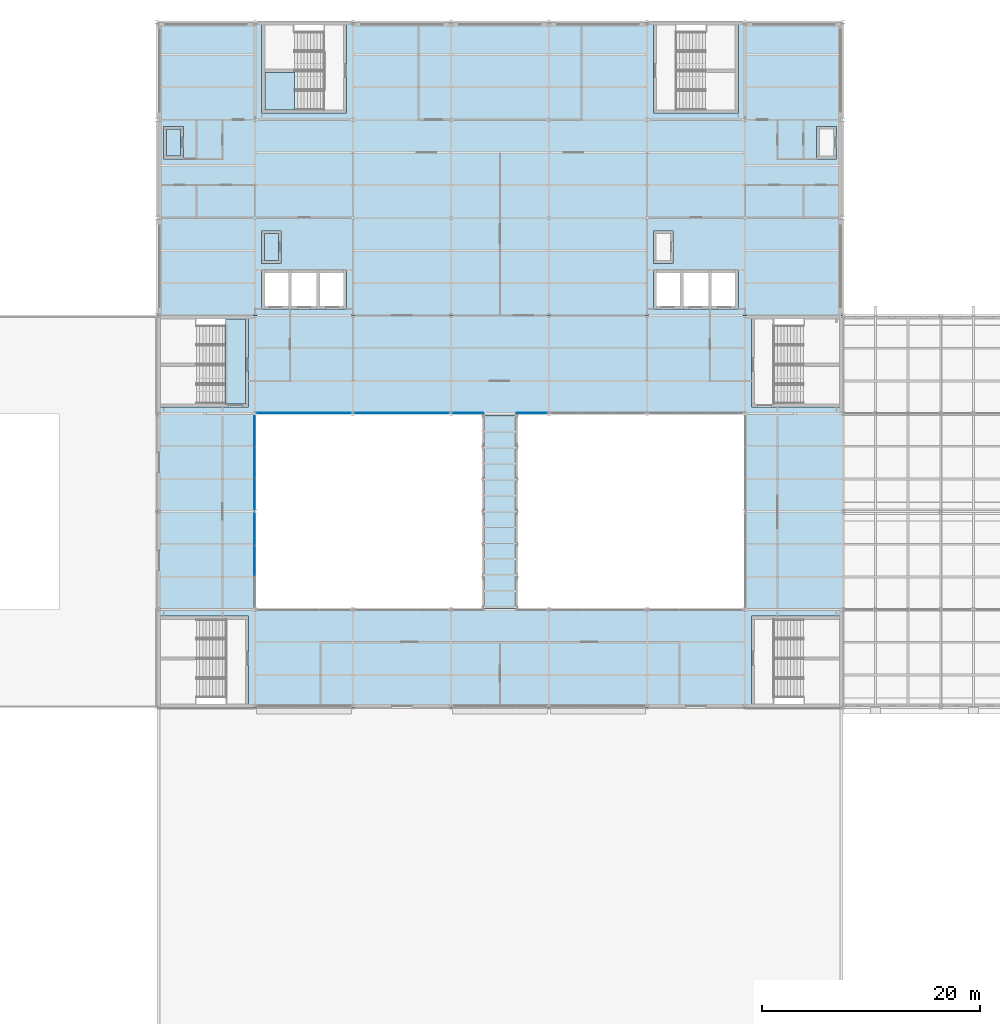
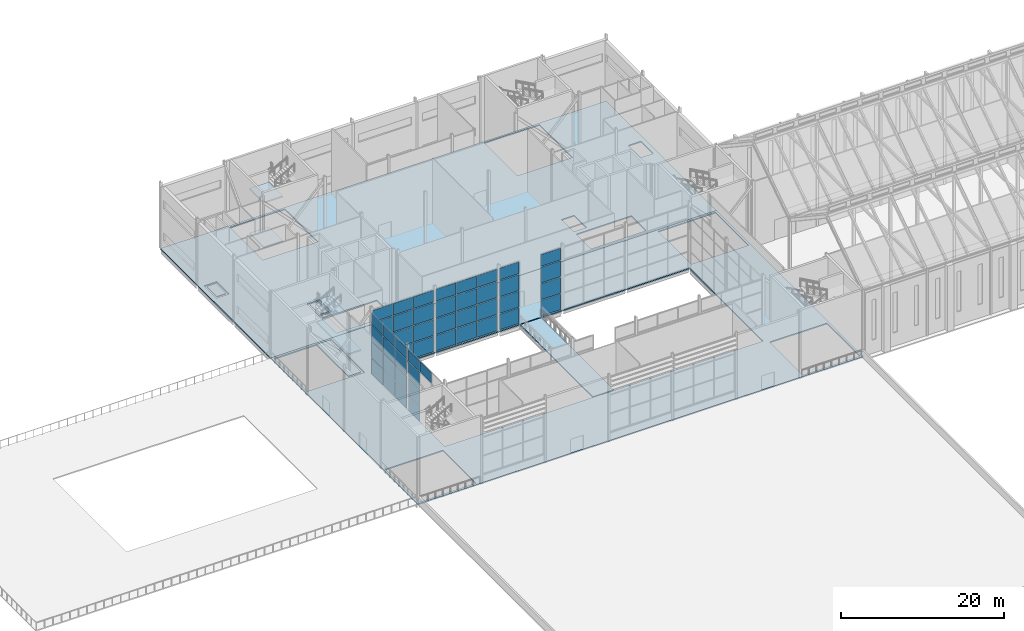
# One storey, part 82 of 111: 49 plates, 10 slabs, 8 elements without a shape of their own.
"""IFC4 building model written with IfcOpenShell, lengths in metres."""

from ifc_helpers import new_model, si_unit, direction, frame, origin, origin_2d, place, context, subcontext, project, spatial, polyline, rectangle, outline, extrude, material, layer, layer_set, type_object, element, aggregate, save


model = new_model("IFC4")

# Units and contexts
model_context = context("Model", 3, precision=1e-05, world=origin(), true_north=direction((0.0, 1.0)))
body_context = subcontext(model_context, "Body", "Model", "MODEL_VIEW")
ifc_project = project(units=[si_unit("LENGTHUNIT", "METRE"), si_unit("AREAUNIT", "SQUARE_METRE"), si_unit("VOLUMEUNIT", "CUBIC_METRE"), si_unit("PLANEANGLEUNIT", "RADIAN"), si_unit("MASSUNIT", "GRAM", prefix="KILO")], contexts=[model_context])

# Site, building, storey
site_placement = place(None, origin())
site = spatial("IfcSite", under=ifc_project, at=site_placement, CompositionType="ELEMENT")
building_placement = place(site_placement, origin())
building = spatial("IfcBuilding", under=site, at=building_placement, Name="Shorebreak Coast Museum", CompositionType="ELEMENT")
storey_placement = place(building_placement, frame((0.0, 0.0, 16.0)))
storey = spatial("IfcBuildingStorey", under=building, at=storey_placement, Name="L03", CompositionType="ELEMENT", Elevation=16.0)

# Slab
ifc_material_1 = material(Name="Concrete N40 (40 MPa)", Category="concrete")
ifc_layer_1 = layer(ifc_material_1, 0.175048828125)
ifc_layer_set_1 = layer_set([ifc_layer_1], Name="Concrete N40 (40 MPa)")
slab_type_1 = type_object("IfcSlabType", Name="Bridge deck 175 concrete N40", PredefinedType="USERDEFINED", material=ifc_layer_set_1)
slab_1_placement = place(storey_placement, frame((0.0, 0.0, -0.175048828125)))
element("IfcSlab", 1, at=slab_1_placement, inside=storey, type_object=slab_type_1, Name="Atrium bridge deck BR2", ObjectType="BRIDGE DECK", PredefinedType="USERDEFINED", context=body_context, shape_type="SweptSolid", body=[
    extrude(outline(polyline([(87.0, 63.114501953125), (87.0, 80.885498046875), (84.0, 80.885498046875), (84.0, 63.114501953125), (87.0, 63.114501953125)])), origin(), (0.0, 0.0, 1.0), 0.175048828125),
])

# Curtain wall, plates
ifc_material_2 = material(Name="Aluminium", Category="aluminium")
ifc_layer_2 = layer(ifc_material_2, 0.1201171875)
ifc_layer_set_2 = layer_set([ifc_layer_2], Name="Aluminium")
curtain_wall_type = type_object("IfcCurtainWallType", Name="Atrium fire screen", PredefinedType="NOTDEFINED", material=ifc_layer_set_2)
curtain_wall_1_placement = place(storey_placement, origin())
curtain_wall_1 = element("IfcCurtainWall", 2, at=curtain_wall_1_placement, inside=storey, type_object=curtain_wall_type, Name="Atrium screen L03 N 39", PredefinedType="NOTDEFINED")
ifc_material_3 = material(Name="Glass", Category="glass")
ifc_layer_3 = layer(ifc_material_3, 0.034912109375)
ifc_layer_set_3 = layer_set([ifc_layer_3], Name="Glass")
plate_type = type_object("IfcPlateType", Name="Fire-resisting glass panel 35", PredefinedType="CURTAIN_PANEL", material=ifc_layer_set_3)
plate_1_placement = place(storey_placement, frame((64.615478515625, 81.06005859375, 0.1201171875), z_axis=(0.0, 0.0, 1.0), x_axis=(1.0, 0.0, 0.0)))
plate_1 = element("IfcPlate", 3, at=plate_1_placement, type_object=plate_type, Name="CW4 panel 1.1", PredefinedType="CURTAIN_PANEL", context=body_context, shape_type="SweptSolid", body=[
    extrude(rectangle(XDim=2.822021484375, YDim=0.034912109375, at=origin_2d()), origin(), (0.0, 0.0, 1.0), 2.320068359375),
])
plate_2_placement = place(storey_placement, frame((64.615478515625, 81.06005859375, 2.56005859375), z_axis=(0.0, 0.0, 1.0), x_axis=(1.0, 0.0, 0.0)))
plate_2 = element("IfcPlate", 4, at=plate_2_placement, type_object=plate_type, Name="CW4 panel 1.2", PredefinedType="CURTAIN_PANEL", context=body_context, shape_type="SweptSolid", body=[
    extrude(rectangle(XDim=2.822021484375, YDim=0.034912109375, at=origin_2d()), origin(), (0.0, 0.0, 1.0), 2.3798828125),
])
plate_3_placement = place(storey_placement, frame((64.615478515625, 81.06005859375, 5.06005859375), z_axis=(0.0, 0.0, 1.0), x_axis=(1.0, 0.0, 0.0)))
plate_3 = element("IfcPlate", 5, at=plate_3_placement, type_object=plate_type, Name="CW4 panel 1.3", PredefinedType="CURTAIN_PANEL", context=body_context, shape_type="SweptSolid", body=[
    extrude(rectangle(XDim=2.822021484375, YDim=0.034912109375, at=origin_2d()), origin(), (0.0, 0.0, 1.0), 2.3798828125),
])
plate_4_placement = place(storey_placement, frame((64.615478515625, 81.06005859375, 7.56005859375), z_axis=(0.0, 0.0, 1.0), x_axis=(1.0, 0.0, 0.0)))
plate_4 = element("IfcPlate", 6, at=plate_4_placement, type_object=plate_type, Name="CW4 panel 1.4", PredefinedType="CURTAIN_PANEL", context=body_context, shape_type="SweptSolid", body=[
    extrude(rectangle(XDim=2.822021484375, YDim=0.034912109375, at=origin_2d()), origin(), (0.0, 0.0, 1.0), 1.742431640625),
])
plate_5_placement = place(storey_placement, frame((67.5, 81.06005859375, 0.1201171875), z_axis=(0.0, 0.0, 1.0), x_axis=(1.0, 0.0, 0.0)))
plate_5 = element("IfcPlate", 7, at=plate_5_placement, type_object=plate_type, Name="CW4 panel 2.1", PredefinedType="CURTAIN_PANEL", context=body_context, shape_type="SweptSolid", body=[
    extrude(rectangle(XDim=2.846923828125, YDim=0.034912109375, at=origin_2d()), origin(), (0.0, 0.0, 1.0), 2.320068359375),
])
plate_6_placement = place(storey_placement, frame((67.5, 81.06005859375, 2.56005859375), z_axis=(0.0, 0.0, 1.0), x_axis=(1.0, 0.0, 0.0)))
plate_6 = element("IfcPlate", 8, at=plate_6_placement, type_object=plate_type, Name="CW4 panel 2.2", PredefinedType="CURTAIN_PANEL", context=body_context, shape_type="SweptSolid", body=[
    extrude(rectangle(XDim=2.846923828125, YDim=0.034912109375, at=origin_2d()), origin(), (0.0, 0.0, 1.0), 2.3798828125),
])
plate_7_placement = place(storey_placement, frame((67.5, 81.06005859375, 5.06005859375), z_axis=(0.0, 0.0, 1.0), x_axis=(1.0, 0.0, 0.0)))
plate_7 = element("IfcPlate", 9, at=plate_7_placement, type_object=plate_type, Name="CW4 panel 2.3", PredefinedType="CURTAIN_PANEL", context=body_context, shape_type="SweptSolid", body=[
    extrude(rectangle(XDim=2.846923828125, YDim=0.034912109375, at=origin_2d()), origin(), (0.0, 0.0, 1.0), 2.3798828125),
])
plate_8_placement = place(storey_placement, frame((67.5, 81.06005859375, 7.56005859375), z_axis=(0.0, 0.0, 1.0), x_axis=(1.0, 0.0, 0.0)))
plate_8 = element("IfcPlate", 10, at=plate_8_placement, type_object=plate_type, Name="CW4 panel 2.4", PredefinedType="CURTAIN_PANEL", context=body_context, shape_type="SweptSolid", body=[
    extrude(rectangle(XDim=2.846923828125, YDim=0.034912109375, at=origin_2d()), origin(), (0.0, 0.0, 1.0), 1.742431640625),
])
plate_9_placement = place(storey_placement, frame((70.384521484375, 81.06005859375, 0.1201171875), z_axis=(0.0, 0.0, 1.0), x_axis=(1.0, 0.0, 0.0)))
plate_9 = element("IfcPlate", 11, at=plate_9_placement, type_object=plate_type, Name="CW4 panel 3.1", PredefinedType="CURTAIN_PANEL", context=body_context, shape_type="SweptSolid", body=[
    extrude(rectangle(XDim=2.822021484375, YDim=0.034912109375, at=origin_2d()), origin(), (0.0, 0.0, 1.0), 2.320068359375),
])
plate_10_placement = place(storey_placement, frame((70.384521484375, 81.06005859375, 2.56005859375), z_axis=(0.0, 0.0, 1.0), x_axis=(1.0, 0.0, 0.0)))
plate_10 = element("IfcPlate", 12, at=plate_10_placement, type_object=plate_type, Name="CW4 panel 3.2", PredefinedType="CURTAIN_PANEL", context=body_context, shape_type="SweptSolid", body=[
    extrude(rectangle(XDim=2.822021484375, YDim=0.034912109375, at=origin_2d()), origin(), (0.0, 0.0, 1.0), 2.3798828125),
])
plate_11_placement = place(storey_placement, frame((70.384521484375, 81.06005859375, 5.06005859375), z_axis=(0.0, 0.0, 1.0), x_axis=(1.0, 0.0, 0.0)))
plate_11 = element("IfcPlate", 13, at=plate_11_placement, type_object=plate_type, Name="CW4 panel 3.3", PredefinedType="CURTAIN_PANEL", context=body_context, shape_type="SweptSolid", body=[
    extrude(rectangle(XDim=2.822021484375, YDim=0.034912109375, at=origin_2d()), origin(), (0.0, 0.0, 1.0), 2.3798828125),
])
plate_12_placement = place(storey_placement, frame((70.384521484375, 81.06005859375, 7.56005859375), z_axis=(0.0, 0.0, 1.0), x_axis=(1.0, 0.0, 0.0)))
plate_12 = element("IfcPlate", 14, at=plate_12_placement, type_object=plate_type, Name="CW4 panel 3.4", PredefinedType="CURTAIN_PANEL", context=body_context, shape_type="SweptSolid", body=[
    extrude(rectangle(XDim=2.822021484375, YDim=0.034912109375, at=origin_2d()), origin(), (0.0, 0.0, 1.0), 1.742431640625),
])
aggregate(curtain_wall_1, [plate_1, plate_2, plate_3, plate_4, plate_5, plate_6, plate_7, plate_8, plate_9, plate_10, plate_11, plate_12])

curtain_wall_2_placement = place(storey_placement, origin())
curtain_wall_2 = element("IfcCurtainWall", 15, at=curtain_wall_2_placement, inside=storey, type_object=curtain_wall_type, Name="Atrium screen L03 N 40", PredefinedType="NOTDEFINED")
plate_13_placement = place(storey_placement, frame((73.615478515625, 81.06005859375, 0.1201171875), z_axis=(0.0, 0.0, 1.0), x_axis=(1.0, 0.0, 0.0)))
plate_13 = element("IfcPlate", 16, at=plate_13_placement, type_object=plate_type, Name="CW5 panel 1.1", PredefinedType="CURTAIN_PANEL", context=body_context, shape_type="SweptSolid", body=[
    extrude(rectangle(XDim=2.822021484375, YDim=0.034912109375, at=origin_2d()), origin(), (0.0, 0.0, 1.0), 2.320068359375),
])
plate_14_placement = place(storey_placement, frame((73.615478515625, 81.06005859375, 2.56005859375), z_axis=(0.0, 0.0, 1.0), x_axis=(1.0, 0.0, 0.0)))
plate_14 = element("IfcPlate", 17, at=plate_14_placement, type_object=plate_type, Name="CW5 panel 1.2", PredefinedType="CURTAIN_PANEL", context=body_context, shape_type="SweptSolid", body=[
    extrude(rectangle(XDim=2.822021484375, YDim=0.034912109375, at=origin_2d()), origin(), (0.0, 0.0, 1.0), 2.3798828125),
])
plate_15_placement = place(storey_placement, frame((73.615478515625, 81.06005859375, 5.06005859375), z_axis=(0.0, 0.0, 1.0), x_axis=(1.0, 0.0, 0.0)))
plate_15 = element("IfcPlate", 18, at=plate_15_placement, type_object=plate_type, Name="CW5 panel 1.3", PredefinedType="CURTAIN_PANEL", context=body_context, shape_type="SweptSolid", body=[
    extrude(rectangle(XDim=2.822021484375, YDim=0.034912109375, at=origin_2d()), origin(), (0.0, 0.0, 1.0), 2.3798828125),
])
plate_16_placement = place(storey_placement, frame((73.615478515625, 81.06005859375, 7.56005859375), z_axis=(0.0, 0.0, 1.0), x_axis=(1.0, 0.0, 0.0)))
plate_16 = element("IfcPlate", 19, at=plate_16_placement, type_object=plate_type, Name="CW5 panel 1.4", PredefinedType="CURTAIN_PANEL", context=body_context, shape_type="SweptSolid", body=[
    extrude(rectangle(XDim=2.822021484375, YDim=0.034912109375, at=origin_2d()), origin(), (0.0, 0.0, 1.0), 1.742431640625),
])
plate_17_placement = place(storey_placement, frame((76.5, 81.06005859375, 0.1201171875), z_axis=(0.0, 0.0, 1.0), x_axis=(1.0, 0.0, 0.0)))
plate_17 = element("IfcPlate", 20, at=plate_17_placement, type_object=plate_type, Name="CW5 panel 2.1", PredefinedType="CURTAIN_PANEL", context=body_context, shape_type="SweptSolid", body=[
    extrude(rectangle(XDim=2.846923828125, YDim=0.034912109375, at=origin_2d()), origin(), (0.0, 0.0, 1.0), 2.320068359375),
])
plate_18_placement = place(storey_placement, frame((76.5, 81.06005859375, 2.56005859375), z_axis=(0.0, 0.0, 1.0), x_axis=(1.0, 0.0, 0.0)))
plate_18 = element("IfcPlate", 21, at=plate_18_placement, type_object=plate_type, Name="CW5 panel 2.2", PredefinedType="CURTAIN_PANEL", context=body_context, shape_type="SweptSolid", body=[
    extrude(rectangle(XDim=2.846923828125, YDim=0.034912109375, at=origin_2d()), origin(), (0.0, 0.0, 1.0), 2.3798828125),
])
plate_19_placement = place(storey_placement, frame((76.5, 81.06005859375, 5.06005859375), z_axis=(0.0, 0.0, 1.0), x_axis=(1.0, 0.0, 0.0)))
plate_19 = element("IfcPlate", 22, at=plate_19_placement, type_object=plate_type, Name="CW5 panel 2.3", PredefinedType="CURTAIN_PANEL", context=body_context, shape_type="SweptSolid", body=[
    extrude(rectangle(XDim=2.846923828125, YDim=0.034912109375, at=origin_2d()), origin(), (0.0, 0.0, 1.0), 2.3798828125),
])
plate_20_placement = place(storey_placement, frame((76.5, 81.06005859375, 7.56005859375), z_axis=(0.0, 0.0, 1.0), x_axis=(1.0, 0.0, 0.0)))
plate_20 = element("IfcPlate", 23, at=plate_20_placement, type_object=plate_type, Name="CW5 panel 2.4", PredefinedType="CURTAIN_PANEL", context=body_context, shape_type="SweptSolid", body=[
    extrude(rectangle(XDim=2.846923828125, YDim=0.034912109375, at=origin_2d()), origin(), (0.0, 0.0, 1.0), 1.742431640625),
])
plate_21_placement = place(storey_placement, frame((79.384521484375, 81.06005859375, 0.1201171875), z_axis=(0.0, 0.0, 1.0), x_axis=(1.0, 0.0, 0.0)))
plate_21 = element("IfcPlate", 24, at=plate_21_placement, type_object=plate_type, Name="CW5 panel 3.1", PredefinedType="CURTAIN_PANEL", context=body_context, shape_type="SweptSolid", body=[
    extrude(rectangle(XDim=2.822021484375, YDim=0.034912109375, at=origin_2d()), origin(), (0.0, 0.0, 1.0), 2.320068359375),
])
plate_22_placement = place(storey_placement, frame((79.384521484375, 81.06005859375, 2.56005859375), z_axis=(0.0, 0.0, 1.0), x_axis=(1.0, 0.0, 0.0)))
plate_22 = element("IfcPlate", 25, at=plate_22_placement, type_object=plate_type, Name="CW5 panel 3.2", PredefinedType="CURTAIN_PANEL", context=body_context, shape_type="SweptSolid", body=[
    extrude(rectangle(XDim=2.822021484375, YDim=0.034912109375, at=origin_2d()), origin(), (0.0, 0.0, 1.0), 2.3798828125),
])
plate_23_placement = place(storey_placement, frame((79.384521484375, 81.06005859375, 5.06005859375), z_axis=(0.0, 0.0, 1.0), x_axis=(1.0, 0.0, 0.0)))
plate_23 = element("IfcPlate", 26, at=plate_23_placement, type_object=plate_type, Name="CW5 panel 3.3", PredefinedType="CURTAIN_PANEL", context=body_context, shape_type="SweptSolid", body=[
    extrude(rectangle(XDim=2.822021484375, YDim=0.034912109375, at=origin_2d()), origin(), (0.0, 0.0, 1.0), 2.3798828125),
])
plate_24_placement = place(storey_placement, frame((79.384521484375, 81.06005859375, 7.56005859375), z_axis=(0.0, 0.0, 1.0), x_axis=(1.0, 0.0, 0.0)))
plate_24 = element("IfcPlate", 27, at=plate_24_placement, type_object=plate_type, Name="CW5 panel 3.4", PredefinedType="CURTAIN_PANEL", context=body_context, shape_type="SweptSolid", body=[
    extrude(rectangle(XDim=2.822021484375, YDim=0.034912109375, at=origin_2d()), origin(), (0.0, 0.0, 1.0), 1.742431640625),
])
aggregate(curtain_wall_2, [plate_13, plate_14, plate_15, plate_16, plate_17, plate_18, plate_19, plate_20, plate_21, plate_22, plate_23, plate_24])

curtain_wall_3_placement = place(storey_placement, origin())
curtain_wall_3 = element("IfcCurtainWall", 28, at=curtain_wall_3_placement, inside=storey, type_object=curtain_wall_type, Name="Atrium screen L03 N 41", PredefinedType="NOTDEFINED")
plate_25_placement = place(storey_placement, frame((82.5771484375, 81.06005859375, 0.1201171875), z_axis=(0.0, 0.0, 1.0), x_axis=(1.0, 0.0, 0.0)))
plate_25 = element("IfcPlate", 29, at=plate_25_placement, type_object=plate_type, Name="CW6 panel 1.1", PredefinedType="CURTAIN_PANEL", context=body_context, shape_type="SweptSolid", body=[
    extrude(rectangle(XDim=2.74560546875, YDim=0.034912109375, at=origin_2d()), origin(), (0.0, 0.0, 1.0), 2.320068359375),
])
plate_26_placement = place(storey_placement, frame((82.5771484375, 81.06005859375, 2.56005859375), z_axis=(0.0, 0.0, 1.0), x_axis=(1.0, 0.0, 0.0)))
plate_26 = element("IfcPlate", 30, at=plate_26_placement, type_object=plate_type, Name="CW6 panel 1.2", PredefinedType="CURTAIN_PANEL", context=body_context, shape_type="SweptSolid", body=[
    extrude(rectangle(XDim=2.74560546875, YDim=0.034912109375, at=origin_2d()), origin(), (0.0, 0.0, 1.0), 2.3798828125),
])
plate_27_placement = place(storey_placement, frame((82.5771484375, 81.06005859375, 5.06005859375), z_axis=(0.0, 0.0, 1.0), x_axis=(1.0, 0.0, 0.0)))
plate_27 = element("IfcPlate", 31, at=plate_27_placement, type_object=plate_type, Name="CW6 panel 1.3", PredefinedType="CURTAIN_PANEL", context=body_context, shape_type="SweptSolid", body=[
    extrude(rectangle(XDim=2.74560546875, YDim=0.034912109375, at=origin_2d()), origin(), (0.0, 0.0, 1.0), 2.3798828125),
])
plate_28_placement = place(storey_placement, frame((82.5771484375, 81.06005859375, 7.56005859375), z_axis=(0.0, 0.0, 1.0), x_axis=(1.0, 0.0, 0.0)))
plate_28 = element("IfcPlate", 32, at=plate_28_placement, type_object=plate_type, Name="CW6 panel 1.4", PredefinedType="CURTAIN_PANEL", context=body_context, shape_type="SweptSolid", body=[
    extrude(rectangle(XDim=2.74560546875, YDim=0.034912109375, at=origin_2d()), origin(), (0.0, 0.0, 1.0), 1.742431640625),
])
aggregate(curtain_wall_3, [plate_25, plate_26, plate_27, plate_28])

curtain_wall_4_placement = place(storey_placement, origin())
curtain_wall_4 = element("IfcCurtainWall", 33, at=curtain_wall_4_placement, inside=storey, type_object=curtain_wall_type, Name="Atrium screen L03 N 42", PredefinedType="NOTDEFINED")
plate_29_placement = place(storey_placement, frame((88.4228515625, 81.06005859375, 0.1201171875), z_axis=(0.0, 0.0, 1.0), x_axis=(1.0, 0.0, 0.0)))
plate_29 = element("IfcPlate", 34, at=plate_29_placement, type_object=plate_type, Name="CW4 panel 1.1", PredefinedType="CURTAIN_PANEL", context=body_context, shape_type="SweptSolid", body=[
    extrude(rectangle(XDim=2.74560546875, YDim=0.034912109375, at=origin_2d()), origin(), (0.0, 0.0, 1.0), 2.320068359375),
])
plate_30_placement = place(storey_placement, frame((88.4228515625, 81.06005859375, 2.56005859375), z_axis=(0.0, 0.0, 1.0), x_axis=(1.0, 0.0, 0.0)))
plate_30 = element("IfcPlate", 35, at=plate_30_placement, type_object=plate_type, Name="CW4 panel 1.2", PredefinedType="CURTAIN_PANEL", context=body_context, shape_type="SweptSolid", body=[
    extrude(rectangle(XDim=2.74560546875, YDim=0.034912109375, at=origin_2d()), origin(), (0.0, 0.0, 1.0), 2.3798828125),
])
plate_31_placement = place(storey_placement, frame((88.4228515625, 81.06005859375, 5.06005859375), z_axis=(0.0, 0.0, 1.0), x_axis=(1.0, 0.0, 0.0)))
plate_31 = element("IfcPlate", 36, at=plate_31_placement, type_object=plate_type, Name="CW4 panel 1.3", PredefinedType="CURTAIN_PANEL", context=body_context, shape_type="SweptSolid", body=[
    extrude(rectangle(XDim=2.74560546875, YDim=0.034912109375, at=origin_2d()), origin(), (0.0, 0.0, 1.0), 2.3798828125),
])
plate_32_placement = place(storey_placement, frame((88.4228515625, 81.06005859375, 7.56005859375), z_axis=(0.0, 0.0, 1.0), x_axis=(1.0, 0.0, 0.0)))
plate_32 = element("IfcPlate", 37, at=plate_32_placement, type_object=plate_type, Name="CW4 panel 1.4", PredefinedType="CURTAIN_PANEL", context=body_context, shape_type="SweptSolid", body=[
    extrude(rectangle(XDim=2.74560546875, YDim=0.034912109375, at=origin_2d()), origin(), (0.0, 0.0, 1.0), 1.742431640625),
])
aggregate(curtain_wall_4, [plate_29, plate_30, plate_31, plate_32])

curtain_wall_5_placement = place(storey_placement, origin())
curtain_wall_5 = element("IfcCurtainWall", 38, at=curtain_wall_5_placement, inside=storey, type_object=curtain_wall_type, Name="Atrium screen L03 W 45", PredefinedType="NOTDEFINED")
plate_33_placement = place(storey_placement, frame((62.93994140625, 67.509033203125, 7.56005859375), z_axis=(0.0, 0.0, 1.0), x_axis=(0.0, 1.0, 0.0)))
plate_33 = element("IfcPlate", 39, at=plate_33_placement, type_object=plate_type, Name="CW4 panel 2.4", PredefinedType="CURTAIN_PANEL", context=body_context, shape_type="SweptSolid", body=[
    extrude(rectangle(XDim=2.837158203125, YDim=0.034912109375, at=origin_2d()), origin(), (0.0, 0.0, 1.0), 1.61669921875),
])
plate_34_placement = place(storey_placement, frame((62.93994140625, 70.383544921875, 0.1201171875), z_axis=(0.0, 0.0, 1.0), x_axis=(0.0, 1.0, 0.0)))
plate_34 = element("IfcPlate", 40, at=plate_34_placement, type_object=plate_type, Name="CW4 panel 3.1", PredefinedType="CURTAIN_PANEL", context=body_context, shape_type="SweptSolid", body=[
    extrude(rectangle(XDim=2.81201171875, YDim=0.034912109375, at=origin_2d()), origin(), (0.0, 0.0, 1.0), 2.320068359375),
])
plate_35_placement = place(storey_placement, frame((62.93994140625, 70.383544921875, 2.56005859375), z_axis=(0.0, 0.0, 1.0), x_axis=(0.0, 1.0, 0.0)))
plate_35 = element("IfcPlate", 41, at=plate_35_placement, type_object=plate_type, Name="CW4 panel 3.2", PredefinedType="CURTAIN_PANEL", context=body_context, shape_type="SweptSolid", body=[
    extrude(rectangle(XDim=2.81201171875, YDim=0.034912109375, at=origin_2d()), origin(), (0.0, 0.0, 1.0), 2.3798828125),
])
plate_36_placement = place(storey_placement, frame((62.93994140625, 70.383544921875, 5.06005859375), z_axis=(0.0, 0.0, 1.0), x_axis=(0.0, 1.0, 0.0)))
plate_36 = element("IfcPlate", 42, at=plate_36_placement, type_object=plate_type, Name="CW4 panel 3.3", PredefinedType="CURTAIN_PANEL", context=body_context, shape_type="SweptSolid", body=[
    extrude(rectangle(XDim=2.81201171875, YDim=0.034912109375, at=origin_2d()), origin(), (0.0, 0.0, 1.0), 2.3798828125),
])
plate_37_placement = place(storey_placement, frame((62.93994140625, 70.383544921875, 7.56005859375), z_axis=(0.0, 0.0, 1.0), x_axis=(0.0, 1.0, 0.0)))
plate_37 = element("IfcPlate", 43, at=plate_37_placement, type_object=plate_type, Name="CW4 panel 3.4", PredefinedType="CURTAIN_PANEL", context=body_context, shape_type="SweptSolid", body=[
    extrude(rectangle(XDim=2.81201171875, YDim=0.034912109375, at=origin_2d()), origin(), (0.0, 0.0, 1.0), 1.61669921875),
])
aggregate(curtain_wall_5, [plate_33, plate_34, plate_35, plate_36, plate_37])

curtain_wall_6_placement = place(storey_placement, origin())
curtain_wall_6 = element("IfcCurtainWall", 44, at=curtain_wall_6_placement, inside=storey, type_object=curtain_wall_type, Name="Atrium screen L03 W 46", PredefinedType="NOTDEFINED")
plate_38_placement = place(storey_placement, frame((62.93994140625, 73.616455078125, 0.1201171875), z_axis=(0.0, 0.0, 1.0), x_axis=(0.0, 1.0, 0.0)))
plate_38 = element("IfcPlate", 45, at=plate_38_placement, type_object=plate_type, Name="CW5 panel 1.1", PredefinedType="CURTAIN_PANEL", context=body_context, shape_type="SweptSolid", body=[
    extrude(rectangle(XDim=2.81201171875, YDim=0.034912109375, at=origin_2d()), origin(), (0.0, 0.0, 1.0), 2.320068359375),
])
plate_39_placement = place(storey_placement, frame((62.93994140625, 73.616455078125, 2.56005859375), z_axis=(0.0, 0.0, 1.0), x_axis=(0.0, 1.0, 0.0)))
plate_39 = element("IfcPlate", 46, at=plate_39_placement, type_object=plate_type, Name="CW5 panel 1.2", PredefinedType="CURTAIN_PANEL", context=body_context, shape_type="SweptSolid", body=[
    extrude(rectangle(XDim=2.81201171875, YDim=0.034912109375, at=origin_2d()), origin(), (0.0, 0.0, 1.0), 2.3798828125),
])
plate_40_placement = place(storey_placement, frame((62.93994140625, 73.616455078125, 5.06005859375), z_axis=(0.0, 0.0, 1.0), x_axis=(0.0, 1.0, 0.0)))
plate_40 = element("IfcPlate", 47, at=plate_40_placement, type_object=plate_type, Name="CW5 panel 1.3", PredefinedType="CURTAIN_PANEL", context=body_context, shape_type="SweptSolid", body=[
    extrude(rectangle(XDim=2.81201171875, YDim=0.034912109375, at=origin_2d()), origin(), (0.0, 0.0, 1.0), 2.3798828125),
])
plate_41_placement = place(storey_placement, frame((62.93994140625, 73.616455078125, 7.56005859375), z_axis=(0.0, 0.0, 1.0), x_axis=(0.0, 1.0, 0.0)))
plate_41 = element("IfcPlate", 48, at=plate_41_placement, type_object=plate_type, Name="CW5 panel 1.4", PredefinedType="CURTAIN_PANEL", context=body_context, shape_type="SweptSolid", body=[
    extrude(rectangle(XDim=2.81201171875, YDim=0.034912109375, at=origin_2d()), origin(), (0.0, 0.0, 1.0), 1.61669921875),
])
plate_42_placement = place(storey_placement, frame((62.93994140625, 76.490966796875, 0.1201171875), z_axis=(0.0, 0.0, 1.0), x_axis=(0.0, 1.0, 0.0)))
plate_42 = element("IfcPlate", 49, at=plate_42_placement, type_object=plate_type, Name="CW5 panel 2.1", PredefinedType="CURTAIN_PANEL", context=body_context, shape_type="SweptSolid", body=[
    extrude(rectangle(XDim=2.837158203125, YDim=0.034912109375, at=origin_2d()), origin(), (0.0, 0.0, 1.0), 2.320068359375),
])
plate_43_placement = place(storey_placement, frame((62.93994140625, 76.490966796875, 2.56005859375), z_axis=(0.0, 0.0, 1.0), x_axis=(0.0, 1.0, 0.0)))
plate_43 = element("IfcPlate", 50, at=plate_43_placement, type_object=plate_type, Name="CW5 panel 2.2", PredefinedType="CURTAIN_PANEL", context=body_context, shape_type="SweptSolid", body=[
    extrude(rectangle(XDim=2.837158203125, YDim=0.034912109375, at=origin_2d()), origin(), (0.0, 0.0, 1.0), 2.3798828125),
])
plate_44_placement = place(storey_placement, frame((62.93994140625, 76.490966796875, 5.06005859375), z_axis=(0.0, 0.0, 1.0), x_axis=(0.0, 1.0, 0.0)))
plate_44 = element("IfcPlate", 51, at=plate_44_placement, type_object=plate_type, Name="CW5 panel 2.3", PredefinedType="CURTAIN_PANEL", context=body_context, shape_type="SweptSolid", body=[
    extrude(rectangle(XDim=2.837158203125, YDim=0.034912109375, at=origin_2d()), origin(), (0.0, 0.0, 1.0), 2.3798828125),
])
plate_45_placement = place(storey_placement, frame((62.93994140625, 76.490966796875, 7.56005859375), z_axis=(0.0, 0.0, 1.0), x_axis=(0.0, 1.0, 0.0)))
plate_45 = element("IfcPlate", 52, at=plate_45_placement, type_object=plate_type, Name="CW5 panel 2.4", PredefinedType="CURTAIN_PANEL", context=body_context, shape_type="SweptSolid", body=[
    extrude(rectangle(XDim=2.837158203125, YDim=0.034912109375, at=origin_2d()), origin(), (0.0, 0.0, 1.0), 1.61669921875),
])
plate_46_placement = place(storey_placement, frame((62.93994140625, 79.36572265625, 0.1201171875), z_axis=(0.0, 0.0, 1.0), x_axis=(0.0, 1.0, 0.0)))
plate_46 = element("IfcPlate", 53, at=plate_46_placement, type_object=plate_type, Name="CW5 panel 3.1", PredefinedType="CURTAIN_PANEL", context=body_context, shape_type="SweptSolid", body=[
    extrude(rectangle(XDim=2.81201171875, YDim=0.034912109375, at=origin_2d()), origin(), (0.0, 0.0, 1.0), 2.320068359375),
])
plate_47_placement = place(storey_placement, frame((62.93994140625, 79.36572265625, 2.56005859375), z_axis=(0.0, 0.0, 1.0), x_axis=(0.0, 1.0, 0.0)))
plate_47 = element("IfcPlate", 54, at=plate_47_placement, type_object=plate_type, Name="CW5 panel 3.2", PredefinedType="CURTAIN_PANEL", context=body_context, shape_type="SweptSolid", body=[
    extrude(rectangle(XDim=2.81201171875, YDim=0.034912109375, at=origin_2d()), origin(), (0.0, 0.0, 1.0), 2.3798828125),
])
plate_48_placement = place(storey_placement, frame((62.93994140625, 79.36572265625, 5.06005859375), z_axis=(0.0, 0.0, 1.0), x_axis=(0.0, 1.0, 0.0)))
plate_48 = element("IfcPlate", 55, at=plate_48_placement, type_object=plate_type, Name="CW5 panel 3.3", PredefinedType="CURTAIN_PANEL", context=body_context, shape_type="SweptSolid", body=[
    extrude(rectangle(XDim=2.81201171875, YDim=0.034912109375, at=origin_2d()), origin(), (0.0, 0.0, 1.0), 2.3798828125),
])
plate_49_placement = place(storey_placement, frame((62.93994140625, 79.36572265625, 7.56005859375), z_axis=(0.0, 0.0, 1.0), x_axis=(0.0, 1.0, 0.0)))
plate_49 = element("IfcPlate", 56, at=plate_49_placement, type_object=plate_type, Name="CW5 panel 3.4", PredefinedType="CURTAIN_PANEL", context=body_context, shape_type="SweptSolid", body=[
    extrude(rectangle(XDim=2.81201171875, YDim=0.034912109375, at=origin_2d()), origin(), (0.0, 0.0, 1.0), 1.61669921875),
])
aggregate(curtain_wall_6, [plate_38, plate_39, plate_40, plate_41, plate_42, plate_43, plate_44, plate_45, plate_46, plate_47, plate_48, plate_49])

# Slabs
ifc_material_4 = material(Name="Concrete N40 (40 MPa)", Category="concrete")
ifc_layer_4 = layer(ifc_material_4, 0.175048828125)
ifc_layer_set_4 = layer_set([ifc_layer_4], Name="Concrete N40 (40 MPa)")
slab_type_2 = type_object("IfcSlabType", Name="Floor slab 175 concrete N40", PredefinedType="FLOOR", material=ifc_layer_set_4)
slab_2_placement = place(storey_placement, frame((0.0, 0.0, -0.175048828125)))
element("IfcSlab", 57, at=slab_2_placement, inside=storey, type_object=slab_type_2, Name="Floor slab L03 crossing", PredefinedType="FLOOR", context=body_context, shape_type="SweptSolid", body=[
    extrude(outline(polyline([(54.0, 54.0), (117.0, 54.0), (117.0, 90.0), (54.0, 90.0), (54.0, 54.0)]), holes=[polyline([(108.0, 81.0), (108.0, 63.0), (63.0, 63.0), (63.0, 81.0), (108.0, 81.0)]), polyline([(62.39990234375, 54.300048828125), (54.300048828125, 54.300048828125), (54.300048828125, 62.39990234375), (62.39990234375, 62.39990234375), (62.39990234375, 54.300048828125)]), polyline([(108.60009765625, 54.300048828125), (108.60009765625, 62.39990234375), (116.699951171875, 62.39990234375), (116.699951171875, 54.300048828125), (108.60009765625, 54.300048828125)]), polyline([(54.300048828125, 89.699951171875), (62.39990234375, 89.699951171875), (62.39990234375, 81.60009765625), (54.300048828125, 81.60009765625), (54.300048828125, 89.699951171875)]), polyline([(116.699951171875, 89.699951171875), (116.699951171875, 81.60009765625), (108.60009765625, 81.60009765625), (108.60009765625, 89.699951171875), (116.699951171875, 89.699951171875)])]), origin(), (0.0, 0.0, 1.0), 0.175048828125),
])
slab_3_placement = place(storey_placement, frame((0.0, 0.0, -0.175048828125)))
element("IfcSlab", 58, at=slab_3_placement, inside=storey, type_object=slab_type_2, Name="Floor slab L03 north arm", PredefinedType="FLOOR", context=body_context, shape_type="SweptSolid", body=[
    extrude(outline(polyline([(117.0, 90.0), (117.0, 117.0), (54.0, 117.0), (54.0, 90.0), (117.0, 90.0)]), holes=[polyline([(107.39990234375, 90.60009765625), (99.60009765625, 90.60009765625), (99.60009765625, 94.199951171875), (107.39990234375, 94.199951171875), (107.39990234375, 90.60009765625)]), polyline([(63.60009765625, 90.60009765625), (63.60009765625, 94.199951171875), (71.39990234375, 94.199951171875), (71.39990234375, 90.60009765625), (63.60009765625, 90.60009765625)]), polyline([(99.60009765625, 97.800048828125), (101.39990234375, 97.800048828125), (101.39990234375, 94.800048828125), (99.60009765625, 94.800048828125), (99.60009765625, 97.800048828125)]), polyline([(65.39990234375, 97.800048828125), (65.39990234375, 94.800048828125), (63.60009765625, 94.800048828125), (63.60009765625, 97.800048828125), (65.39990234375, 97.800048828125)]), polyline([(56.39990234375, 104.39990234375), (54.60009765625, 104.39990234375), (54.60009765625, 107.39990234375), (56.39990234375, 107.39990234375), (56.39990234375, 104.39990234375)]), polyline([(114.60009765625, 104.39990234375), (114.60009765625, 107.39990234375), (116.39990234375, 107.39990234375), (116.39990234375, 104.39990234375), (114.60009765625, 104.39990234375)]), polyline([(63.60009765625, 116.699951171875), (71.39990234375, 116.699951171875), (71.39990234375, 108.60009765625), (63.60009765625, 108.60009765625), (63.60009765625, 116.699951171875)]), polyline([(107.39990234375, 116.699951171875), (107.39990234375, 108.60009765625), (99.60009765625, 108.60009765625), (99.60009765625, 116.699951171875), (107.39990234375, 116.699951171875)])]), origin(), (0.0, 0.0, 1.0), 0.175048828125),
])
ifc_material_5 = material(Name="Concrete N40 (40 MPa)", Category="concrete")
ifc_layer_5 = layer(ifc_material_5, 0.10009765625)
ifc_layer_set_5 = layer_set([ifc_layer_5], Name="Concrete N40 (40 MPa)")
slab_type_3 = type_object("IfcSlabType", Name="Riser platform 100", PredefinedType="USERDEFINED", material=ifc_layer_set_5)
slab_4_placement = place(storey_placement, frame((0.0, 0.0, -0.10009765625)))
element("IfcSlab", 59, at=slab_4_placement, inside=storey, type_object=slab_type_3, Name="Riser platform R-WC-N1 L03", ObjectType="RISER PLATFORM", PredefinedType="USERDEFINED", context=body_context, shape_type="SweptSolid", body=[
    extrude(outline(polyline([(54.85009765625, 104.64990234375), (56.14990234375, 104.64990234375), (56.14990234375, 107.14990234375), (54.85009765625, 107.14990234375), (54.85009765625, 104.64990234375)])), origin(), (0.0, 0.0, 1.0), 0.10009765625),
])
slab_5_placement = place(storey_placement, frame((0.0, 0.0, -0.10009765625)))
element("IfcSlab", 60, at=slab_5_placement, inside=storey, type_object=slab_type_3, Name="Riser platform R-LBW L03", ObjectType="RISER PLATFORM", PredefinedType="USERDEFINED", context=body_context, shape_type="SweptSolid", body=[
    extrude(outline(polyline([(63.85009765625, 95.050048828125), (65.14990234375, 95.050048828125), (65.14990234375, 97.550048828125), (63.85009765625, 97.550048828125), (63.85009765625, 95.050048828125)])), origin(), (0.0, 0.0, 1.0), 0.10009765625),
])

# Stair, slabs
ifc_material_6 = material(Name="Concrete N40 (40 MPa)", Category="concrete")
stair_type = type_object("IfcStairType", Name="Stair run 10 m", PredefinedType="DOUBLE_RETURN_STAIR", material=ifc_material_6)
stair_1_placement = place(storey_placement, origin())
stair_1 = element("IfcStair", 61, at=stair_1_placement, inside=storey, type_object=stair_type, Name="Exit stair ST03-L03", PredefinedType="DOUBLE_RETURN_STAIR")
ifc_material_7 = material(Name="Concrete N40 (40 MPa)", Category="concrete")
ifc_layer_6 = layer(ifc_material_7, 0.199951171875)
ifc_layer_set_6 = layer_set([ifc_layer_6], Name="Concrete N40 (40 MPa)")
slab_type_4 = type_object("IfcSlabType", Name="Stair landing 200", PredefinedType="LANDING", material=ifc_layer_set_6)
slab_6_placement = place(storey_placement, frame((0.0, 0.0, -0.199951171875)))
slab_6 = element("IfcSlab", 62, at=slab_6_placement, type_object=slab_type_4, Name="ST03-L03 landing 1", PredefinedType="LANDING", context=body_context, shape_type="SweptSolid", body=[
    extrude(outline(polyline([(60.300048828125, 81.89990234375), (62.10009765625, 81.89990234375), (62.10009765625, 89.699951171875), (60.300048828125, 89.699951171875), (60.300048828125, 81.89990234375)])), origin(), (0.0, 0.0, 1.0), 0.199951171875),
])
slab_7_placement = place(storey_placement, frame((0.0, 0.0, 3.13330078125)))
slab_7 = element("IfcSlab", 63, at=slab_7_placement, type_object=slab_type_4, Name="ST03-L03 landing 2", PredefinedType="LANDING", context=body_context, shape_type="SweptSolid", body=[
    extrude(outline(polyline([(60.300048828125, 81.89990234375), (62.10009765625, 81.89990234375), (62.10009765625, 89.699951171875), (60.300048828125, 89.699951171875), (60.300048828125, 81.89990234375)])), origin(), (0.0, 0.0, 1.0), 0.199951171875),
])
slab_8_placement = place(storey_placement, frame((0.0, 0.0, 6.466796875)))
slab_8 = element("IfcSlab", 64, at=slab_8_placement, type_object=slab_type_4, Name="ST03-L03 landing 3", PredefinedType="LANDING", context=body_context, shape_type="SweptSolid", body=[
    extrude(outline(polyline([(60.300048828125, 81.89990234375), (62.10009765625, 81.89990234375), (62.10009765625, 89.699951171875), (60.300048828125, 89.699951171875), (60.300048828125, 81.89990234375)])), origin(), (0.0, 0.0, 1.0), 0.199951171875),
])
aggregate(stair_1, [slab_6, slab_7, slab_8])

stair_2_placement = place(storey_placement, origin())
stair_2 = element("IfcStair", 65, at=stair_2_placement, inside=storey, type_object=stair_type, Name="Exit stair ST09-L03", PredefinedType="DOUBLE_RETURN_STAIR")
slab_9_placement = place(storey_placement, frame((0.0, 0.0, 1.466796875)))
slab_9 = element("IfcSlab", 66, at=slab_9_placement, type_object=slab_type_4, Name="ST09-L03 landing 4", PredefinedType="LANDING", context=body_context, shape_type="SweptSolid", body=[
    extrude(outline(polyline([(63.89990234375, 108.89990234375), (66.60009765625, 108.89990234375), (66.60009765625, 112.35009765625), (63.89990234375, 112.35009765625), (63.89990234375, 108.89990234375)])), origin(), (0.0, 0.0, 1.0), 0.199951171875),
])
slab_10_placement = place(storey_placement, frame((0.0, 0.0, 8.13330078125)))
slab_10 = element("IfcSlab", 67, at=slab_10_placement, type_object=slab_type_4, Name="ST09-L03 landing 6", PredefinedType="LANDING", context=body_context, shape_type="SweptSolid", body=[
    extrude(outline(polyline([(63.89990234375, 108.89990234375), (66.60009765625, 108.89990234375), (66.60009765625, 112.35009765625), (63.89990234375, 112.35009765625), (63.89990234375, 108.89990234375)])), origin(), (0.0, 0.0, 1.0), 0.199951171875),
])
aggregate(stair_2, [slab_9, slab_10])

save(model, "model.ifc")
